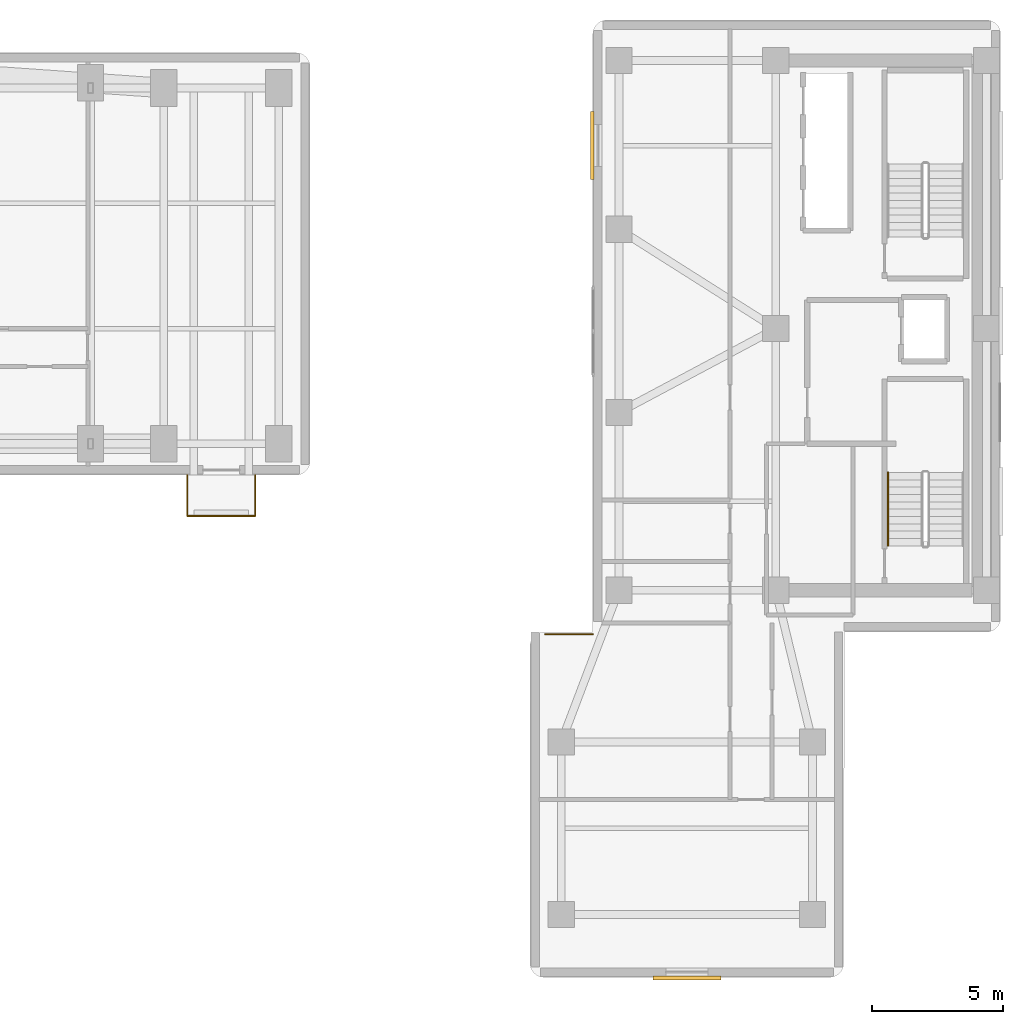
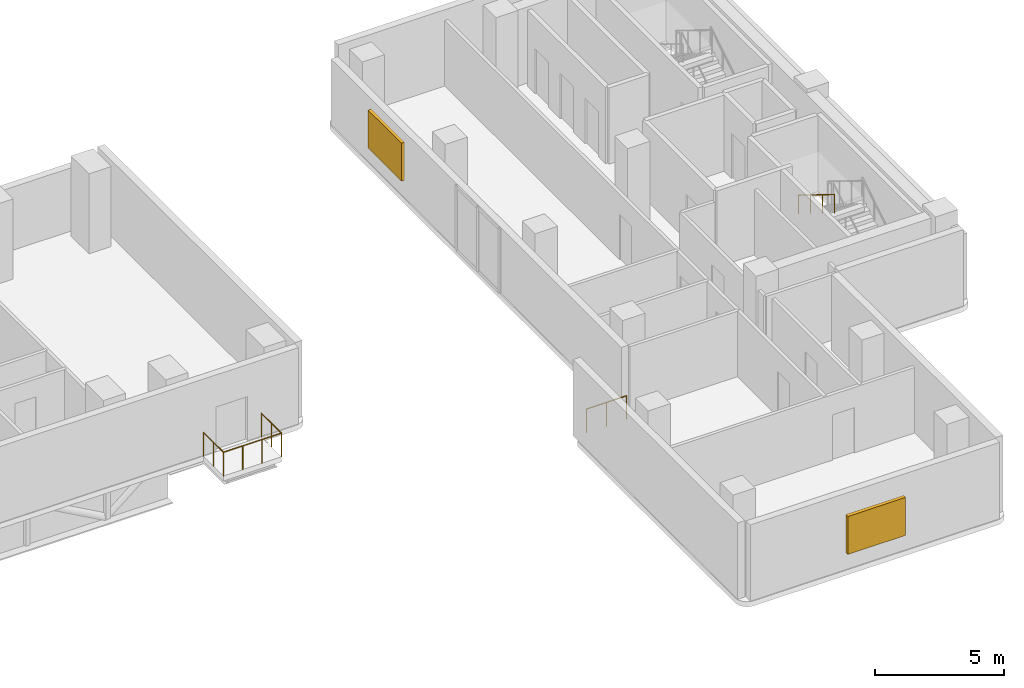
# One storey, part 14 of 15: 5 railings, 2 shading devices.
"""IFC4 building model written with IfcOpenShell, lengths in metres."""

from ifc_helpers import new_model, si_unit, direction, frame, origin, origin_2d, place, context, subcontext, project, spatial, rectangle, circle, extrude, material, layer, layer_set, type_object, element, save


model = new_model("IFC4")

# Units and contexts
model_context = context("Model", 3, precision=1e-05, world=origin(), true_north=direction((0.0, 1.0)))
body_context = subcontext(model_context, "Body", "Model", "MODEL_VIEW")
ifc_project = project(units=[si_unit("LENGTHUNIT", "METRE"), si_unit("AREAUNIT", "SQUARE_METRE"), si_unit("VOLUMEUNIT", "CUBIC_METRE"), si_unit("PLANEANGLEUNIT", "RADIAN"), si_unit("MASSUNIT", "GRAM", prefix="KILO")], contexts=[model_context])

# Site, building, storey
site_placement = place(None, origin())
site = spatial("IfcSite", under=ifc_project, at=site_placement, CompositionType="ELEMENT")
building_placement = place(site_placement, origin())
building = spatial("IfcBuilding", under=site, at=building_placement, Name="Kuzgunbayir Cultural Tower", CompositionType="ELEMENT")
storey_placement = place(building_placement, frame((0.0, 0.0, 39.800048828125)))
storey = spatial("IfcBuildingStorey", under=building, at=storey_placement, Name="L10", CompositionType="ELEMENT", Elevation=39.800048828125)

# Railings
ifc_material_1 = material(Name="Laminated Glass and Stainless Steel", Category="steel")
ifc_layer_1 = layer(ifc_material_1, 0.080078125)
ifc_layer_set_1 = layer_set([ifc_layer_1], Name="Laminated Glass and Stainless Steel")
railing_type_1 = type_object("IfcRailingType", Name="RLG-BAL-115", PredefinedType="BALUSTRADE", material=ifc_layer_set_1)
railing_1_placement = place(storey_placement, frame((42.10009765625, 26.39990234375, 0.0)))
element("IfcRailing", 1, at=railing_1_placement, inside=storey, type_object=railing_type_1, Name="L10 Balcony Guard BAL-L10-WB3 Segment 1", PredefinedType="BALUSTRADE", context=body_context, shape_type="SweptSolid", body=[
    extrude(circle(Radius=0.02392578125, at=origin_2d()), frame((0.0, 0.0, 1.1259765625), z_axis=(0.0, -1.0, 0.0), x_axis=(1.0, 0.0, 0.0)), (0.0, 0.0, 1.0), 1.559814453125),
    extrude(circle(Radius=0.02099609375, at=origin_2d()), origin(), (0.0, 0.0, 1.0), 1.101806640625),
    extrude(circle(Radius=0.02099609375, at=origin_2d()), frame((0.0, -0.77978515625, 0.0)), (0.0, 0.0, 1.0), 1.101806640625),
    extrude(circle(Radius=0.02099609375, at=origin_2d()), frame((0.0, -1.559814453125, 0.0)), (0.0, 0.0, 1.0), 1.101806640625),
])
railing_2_placement = place(storey_placement, frame((42.10009765625, 24.840087890625, 0.0)))
element("IfcRailing", 2, at=railing_2_placement, inside=storey, type_object=railing_type_1, Name="L10 Balcony Guard BAL-L10-WB3 Segment 2", PredefinedType="BALUSTRADE", context=body_context, shape_type="SweptSolid", body=[
    extrude(circle(Radius=0.02392578125, at=origin_2d()), frame((0.0, 0.0, 1.1259765625), z_axis=(1.0, 0.0, 0.0), x_axis=(0.0, 1.0, 0.0)), (0.0, 0.0, 1.0), 2.599853515625),
    extrude(circle(Radius=0.02099609375, at=origin_2d()), origin(), (0.0, 0.0, 1.0), 1.101806640625),
    extrude(circle(Radius=0.02099609375, at=origin_2d()), frame((0.86669921875, 0.0, 0.0)), (0.0, 0.0, 1.0), 1.101806640625),
    extrude(circle(Radius=0.02099609375, at=origin_2d()), frame((1.733154296875, 0.0, 0.0)), (0.0, 0.0, 1.0), 1.101806640625),
    extrude(circle(Radius=0.02099609375, at=origin_2d()), frame((2.599853515625, 0.0, 0.0)), (0.0, 0.0, 1.0), 1.101806640625),
])
railing_3_placement = place(storey_placement, frame((44.699951171875, 24.840087890625, 0.0)))
element("IfcRailing", 3, at=railing_3_placement, inside=storey, type_object=railing_type_1, Name="L10 Balcony Guard BAL-L10-WB3 Segment 3", PredefinedType="BALUSTRADE", context=body_context, shape_type="SweptSolid", body=[
    extrude(circle(Radius=0.02392578125, at=origin_2d()), frame((0.0, 0.0, 1.1259765625), z_axis=(0.0, 1.0, 0.0), x_axis=(-1.0, 0.0, 0.0)), (0.0, 0.0, 1.0), 1.559814453125),
    extrude(circle(Radius=0.02099609375, at=origin_2d()), origin(), (0.0, 0.0, 1.0), 1.101806640625),
    extrude(circle(Radius=0.02099609375, at=origin_2d()), frame((0.0, 0.77978515625, 0.0)), (0.0, 0.0, 1.0), 1.101806640625),
    extrude(circle(Radius=0.02099609375, at=origin_2d()), frame((0.0, 1.559814453125, 0.0)), (0.0, 0.0, 1.0), 1.101806640625),
])
railing_4_placement = place(storey_placement, frame((55.7900390625, 20.320068359375, 0.0)))
element("IfcRailing", 4, at=railing_4_placement, inside=storey, type_object=railing_type_1, Name="L10 Perimeter Edge Guard 1", PredefinedType="BALUSTRADE", context=body_context, shape_type="SweptSolid", body=[
    extrude(circle(Radius=0.02392578125, at=origin_2d()), frame((0.0, 0.0, 1.1259765625), z_axis=(1.0, 0.0, 0.0), x_axis=(0.0, 1.0, 0.0)), (0.0, 0.0, 1.0), 1.81005859375),
    extrude(circle(Radius=0.02099609375, at=origin_2d()), origin(), (0.0, 0.0, 1.0), 1.101806640625),
    extrude(circle(Radius=0.02099609375, at=origin_2d()), frame((0.905029296875, 0.0, 0.0)), (0.0, 0.0, 1.0), 1.101806640625),
    extrude(circle(Radius=0.02099609375, at=origin_2d()), frame((1.81005859375, 0.0, 0.0)), (0.0, 0.0, 1.0), 1.101806640625),
])
ifc_material_2 = material(Name="Brushed Stainless Steel", Category="steel")
ifc_layer_2 = layer(ifc_material_2, 0.050048828125)
ifc_layer_set_2 = layer_set([ifc_layer_2], Name="Brushed Stainless Steel")
railing_type_2 = type_object("IfcRailingType", Name="RLG-STAIR-HANDRAIL", PredefinedType="HANDRAIL", material=ifc_layer_set_2)
railing_5_placement = place(storey_placement, frame((68.889892578125, 26.5, 2.07275390625)))
element("IfcRailing", 5, at=railing_5_placement, inside=storey, type_object=railing_type_2, Name="L10 ST-3 stair handrail 2", PredefinedType="HANDRAIL", context=body_context, shape_type="SweptSolid", body=[
    extrude(circle(Radius=0.02392578125, at=origin_2d()), frame((0.0, 0.0, 0.8759765625), z_axis=(0.0, -0.851089632645, 0.525020415988), x_axis=(1.0, 0.0, 0.0)), (0.0, 0.0, 1.0), 3.2900390625),
    extrude(circle(Radius=0.02099609375, at=origin_2d()), origin(), (0.0, 0.0, 1.0), 0.851806640625),
    extrude(circle(Radius=0.02099609375, at=origin_2d()), frame((0.0, -0.933349609375, 0.57568359375)), (0.0, 0.0, 1.0), 0.851806640625),
    extrude(circle(Radius=0.02099609375, at=origin_2d()), frame((0.0, -1.86669921875, 1.151611328125)), (0.0, 0.0, 1.0), 0.851806640625),
    extrude(circle(Radius=0.02099609375, at=origin_2d()), frame((0.0, -2.800048828125, 1.727294921875)), (0.0, 0.0, 1.0), 0.851806640625),
])

# Shading devices
ifc_material_3 = material(Name="Perforated Bronze-Anodised Aluminium", Category="aluminium")
shading_device_type_1 = type_object("IfcShadingDeviceType", Name="SHD-SOLAR-BRONZE", PredefinedType="JALOUSIE", material=ifc_material_3)
shading_device_1_placement = place(storey_placement, frame((57.590087890625, 39.0, 0.7998046875), z_axis=(0.0, 0.0, 1.0), x_axis=(1.0, 0.0, 0.0)))
element("IfcShadingDevice", 6, at=shading_device_1_placement, inside=storey, type_object=shading_device_type_1, Name="L10 Companion Bronze Solar Screen 39", PredefinedType="JALOUSIE", context=body_context, shape_type="SweptSolid", body=[
    extrude(rectangle(XDim=0.139892578125, YDim=2.60009765625, at=origin_2d()), origin(), (0.0, 0.0, 1.0), 1.800048828125),
])
ifc_material_4 = material(Name="Warm Terracotta Ceramic Baguette", Category="masonry")
shading_device_type_2 = type_object("IfcShadingDeviceType", Name="SHD-SOLAR-CERAMIC", PredefinedType="SHUTTER", material=ifc_material_4)
shading_device_2_placement = place(storey_placement, frame((61.199951171875, 7.179931640625, 0.7998046875), z_axis=(0.0, 0.0, 1.0), x_axis=(1.0, 0.0, 0.0)))
element("IfcShadingDevice", 7, at=shading_device_2_placement, inside=storey, type_object=shading_device_type_2, Name="L10 Companion Ceramic Solar Screen S1", PredefinedType="SHUTTER", context=body_context, shape_type="SweptSolid", body=[
    extrude(rectangle(XDim=2.60009765625, YDim=0.159912109375, at=origin_2d()), origin(), (0.0, 0.0, 1.0), 1.800048828125),
])

save(model, "model.ifc")
